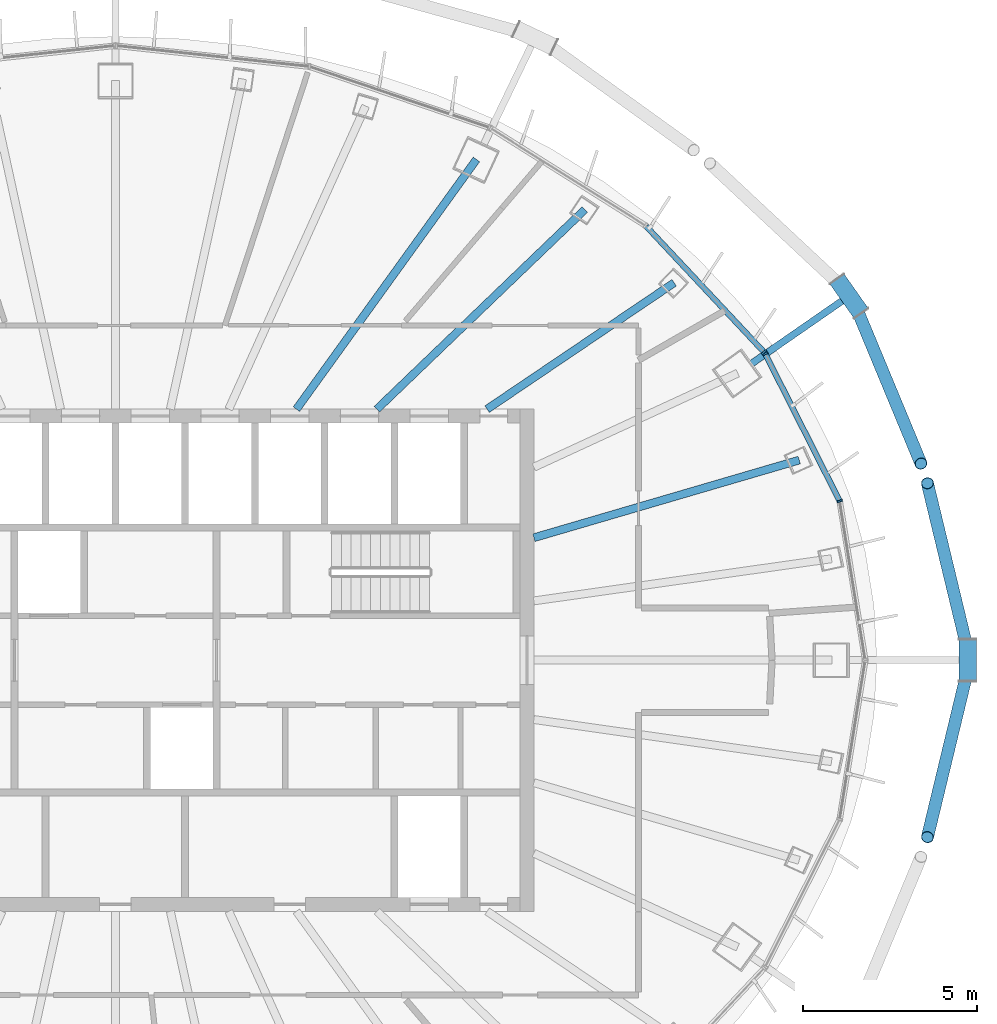
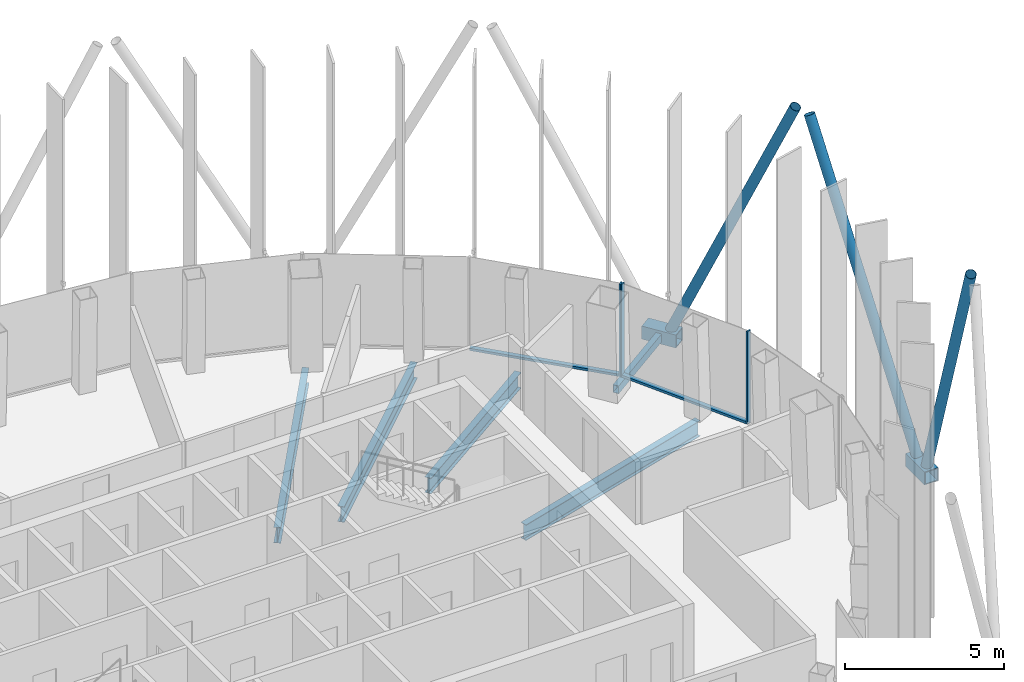
# One storey, part 6 of 20: 11 members, 4 beams, 2 elements without a shape of their own.
"""IFC4 building model written with IfcOpenShell, lengths in metres."""

import ifcopenshell
import ifcopenshell.guid

model = None  # the IFC model being written
_history = None  # IfcOwnerHistory: only IFC2X3 demands one
_inside = {}  # id of a spatial element -> (the spatial element, [elements in it])
_under = {}  # id of a project, library or spatial element -> (it, [spatial elements below it])
_declared = {}  # id of a project -> (the project, [libraries it declares])
_typed = {}  # id of a type object -> (the type object, [elements of that type])
_made_of = {}  # id of a material, layer set ... -> (it, [elements and type objects made of it])


def new_model(schema):
    """Start an empty IFC model of exactly this schema.

    Asked for "IFC4X3", IfcOpenShell would pick the latest addendum, in which some entities
    have other attributes; the version numbers below select the first issue.
    IFC2X3 requires an IfcOwnerHistory on every rooted entity: one is made here for all.
    """
    global model, _history
    if schema == "IFC4X3":
        model = ifcopenshell.file(schema_version=(4, 3, 0, 0))
    else:
        model = ifcopenshell.file(schema=schema)
    _inside.clear()
    _under.clear()
    _declared.clear()
    _typed.clear()
    _made_of.clear()
    _history = None
    if model.schema == "IFC2X3":
        org = make("IfcOrganization", Name="unknown")
        user = make(
            "IfcPersonAndOrganization",
            ThePerson=make("IfcPerson", FamilyName="unknown"),
            TheOrganization=org,
        )
        app = make(
            "IfcApplication",
            ApplicationDeveloper=org,
            Version="unknown",
            ApplicationFullName="unknown",
            ApplicationIdentifier="unknown",
        )
        _history = make(
            "IfcOwnerHistory",
            OwningUser=user,
            OwningApplication=app,
            ChangeAction="ADDED",
            CreationDate=0,
        )
    return model


def make(cls, **values):
    """One entity of the class cls with the attributes given. An attribute that is None is left unset."""
    return model.create_entity(
        cls, **{name: value for name, value in values.items() if value is not None}
    )


def rooted(cls, **values):
    """An entity with a GlobalId (a new one), such as an element, a storey or a relation."""
    return make(cls, GlobalId=ifcopenshell.guid.new(), OwnerHistory=_history, **values)


def si_unit(unit_type, name, prefix=None):
    """IfcSIUnit, for example si_unit("LENGTHUNIT", "METRE", prefix="MILLI")."""
    return make("IfcSIUnit", UnitType=unit_type, Prefix=prefix, Name=name)


def assignment(units):
    """IfcUnitAssignment: the units of a project."""
    return None if units is None else make("IfcUnitAssignment", Units=units)


def point(xyz):
    """IfcCartesianPoint."""
    return None if xyz is None else make("IfcCartesianPoint", Coordinates=xyz)


def direction(xyz):
    """IfcDirection."""
    return None if xyz is None else make("IfcDirection", DirectionRatios=xyz)


def frame(location, z_axis=None, x_axis=None):
    """IfcAxis2Placement3D, a coordinate frame: its origin and axes. An axis left out is left unset."""
    return make(
        "IfcAxis2Placement3D",
        Location=point(location),
        Axis=direction(z_axis),
        RefDirection=direction(x_axis),
    )


def frame_2d(location, x_axis=None):
    """IfcAxis2Placement2D, a coordinate frame in the plane: its origin and x axis."""
    return make(
        "IfcAxis2Placement2D", Location=point(location), RefDirection=direction(x_axis)
    )


def origin():
    """The frame at (0, 0, 0) with its axes left unset."""
    return frame((0.0, 0.0, 0.0))


def origin_2d():
    """The frame at (0, 0) in the plane with its x axis left unset."""
    return frame_2d((0.0, 0.0))


def place(relative_to, where):
    """IfcLocalPlacement: puts the frame where relative to a parent placement (None: the world)."""
    return make(
        "IfcLocalPlacement", PlacementRelTo=relative_to, RelativePlacement=where
    )


def context(
    kind, dimensions, precision=None, world=None, true_north=None, identifier=None
):
    """IfcGeometricRepresentationContext, for example the 3D "Model" context."""
    return make(
        "IfcGeometricRepresentationContext",
        ContextIdentifier=identifier,
        ContextType=kind,
        CoordinateSpaceDimension=dimensions,
        Precision=precision,
        WorldCoordinateSystem=world,
        TrueNorth=true_north,
    )


def subcontext(parent, identifier, kind, view, scale=None):
    """IfcGeometricRepresentationSubContext, for example "Body" below "Model"."""
    return make(
        "IfcGeometricRepresentationSubContext",
        ContextIdentifier=identifier,
        ContextType=kind,
        ParentContext=parent,
        TargetScale=scale,
        TargetView=view,
    )


def project(units=None, contexts=None):
    """IfcProject with its units and contexts."""
    return rooted(
        "IfcProject",
        Name="project",
        RepresentationContexts=contexts,
        UnitsInContext=assignment(units),
    )


def spatial(cls, under=None, at=None, **own):
    """A site, building, storey or space (cls), placed at a placement, below another one or the project."""
    s = rooted(cls, ObjectPlacement=at, **own)
    if under is not None:
        _under.setdefault(under.id(), (under, []))[1].append(s)
    return s


def profile(cls, at=None, kind="AREA", **sizes):
    """A parametric profile (cls). Its sizes go by their IFC names, for example OverallWidth=200.0."""
    return make(cls, ProfileType=kind, Position=at, **sizes)


def rectangle(**sizes):
    """IfcRectangleProfileDef."""
    return profile("IfcRectangleProfileDef", **sizes)


def hollow_rectangle(**sizes):
    """IfcRectangleHollowProfileDef."""
    return profile("IfcRectangleHollowProfileDef", **sizes)


def hollow_circle(**sizes):
    """IfcCircleHollowProfileDef."""
    return profile("IfcCircleHollowProfileDef", **sizes)


def i_section(**sizes):
    """IfcIShapeProfileDef."""
    return profile("IfcIShapeProfileDef", **sizes)


def extrude(swept, where, along, depth):
    """IfcExtrudedAreaSolid: the profile swept, set in the frame where, extruded along a direction by depth."""
    return make(
        "IfcExtrudedAreaSolid",
        SweptArea=swept,
        Position=where,
        ExtrudedDirection=direction(along),
        Depth=depth,
    )


def shape(context_of_items, identifier, shape_type, items):
    """IfcShapeRepresentation: the items that make up one representation, for example the "Body"."""
    return make(
        "IfcShapeRepresentation",
        ContextOfItems=context_of_items,
        RepresentationIdentifier=identifier,
        RepresentationType=shape_type,
        Items=items,
    )


def material(Name=None, Category=None):
    """IfcMaterial."""
    return make("IfcMaterial", Name=Name, Category=Category)


def layer(
    of_material, thickness, ventilated=None, Name=None, Category=None, Priority=None
):
    """IfcMaterialLayer: one layer of a wall or slab, of a material (None: an air gap)."""
    return make(
        "IfcMaterialLayer",
        Material=of_material,
        LayerThickness=thickness,
        IsVentilated=ventilated,
        Name=Name,
        Category=Category,
        Priority=Priority,
    )


def layer_set(layers, Name=None):
    """IfcMaterialLayerSet."""
    return make("IfcMaterialLayerSet", MaterialLayers=layers, LayerSetName=Name)


def material_profile(
    of_material, cross_section, Name=None, Category=None, Priority=None
):
    """IfcMaterialProfile: a cross section and its material."""
    return make(
        "IfcMaterialProfile",
        Name=Name,
        Material=of_material,
        Profile=cross_section,
        Priority=Priority,
        Category=Category,
    )


def profile_set(profiles, Name=None, composite=None):
    """IfcMaterialProfileSet."""
    return make(
        "IfcMaterialProfileSet",
        Name=Name,
        MaterialProfiles=profiles,
        CompositeProfile=composite,
    )


def made_of(thing, what):
    """Note that an element or type object is made of a material, layer set ...; save() writes the relation."""
    if what is not None:
        _made_of.setdefault(what.id(), (what, []))[1].append(thing)
    return thing


def type_object(cls, material=None, **own):
    """A type object (cls), such as IfcWallType, which elements share."""
    return made_of(rooted(cls, **own), material)


def element(
    cls,
    number,
    at=None,
    inside=None,
    cuts=None,
    type_object=None,
    material=None,
    context=None,
    identifier="Body",
    shape_type=None,
    held_by="IfcProductDefinitionShape",
    body=None,
    shapes=None,
    **own,
):
    """One element of the class cls, such as IfcWall. Its Tag is "e" and its number.

    at: its placement. inside: the storey or other place that contains it. cuts: it is an
    opening in that element (IfcRelVoidsElement). A single representation is given by context,
    identifier, shape_type and body (its items); several are given by shapes. held_by: the class
    of the entity that holds the representations. save() writes the other relations.
    """
    e = rooted(cls, Tag="e%d" % number, ObjectPlacement=at, **own)
    if body is not None:
        shapes = [shape(context, identifier, shape_type, body)]
    if shapes is not None:
        e.Representation = make(held_by, Representations=shapes)
    if inside is not None:
        _inside.setdefault(inside.id(), (inside, []))[1].append(e)
    if cuts is not None:
        rooted(
            "IfcRelVoidsElement", RelatingBuildingElement=cuts, RelatedOpeningElement=e
        )
    if type_object is not None:
        _typed.setdefault(type_object.id(), (type_object, []))[1].append(e)
    return made_of(e, material)


def aggregate(whole, parts):
    """IfcRelAggregates: a whole, such as a stair, and the parts it consists of."""
    return rooted("IfcRelAggregates", RelatingObject=whole, RelatedObjects=parts)


def save(model, path):
    """Write the relations noted so far, then the file.

    IfcRelAggregates (storeys below a building ...), IfcRelContainedInSpatialStructure (elements
    in a storey), IfcRelDefinesByType, IfcRelAssociatesMaterial and IfcRelDeclares: one each for
    every whole, place, type object, material and project.
    """
    for whole, parts in _under.values():
        aggregate(whole, parts)
    for where, things in _inside.values():
        rooted(
            "IfcRelContainedInSpatialStructure",
            RelatedElements=things,
            RelatingStructure=where,
        )
    for kind, things in _typed.values():
        rooted("IfcRelDefinesByType", RelatedObjects=things, RelatingType=kind)
    for what, things in _made_of.values():
        rooted("IfcRelAssociatesMaterial", RelatedObjects=things, RelatingMaterial=what)
    for by, libraries in _declared.values():
        rooted("IfcRelDeclares", RelatingContext=by, RelatedDefinitions=libraries)
    model.write(path)


model = new_model("IFC4")

# Units and contexts
model_context = context("Model", 3, precision=1e-05, world=origin(), true_north=direction((0.0, 1.0)))
body_context = subcontext(model_context, "Body", "Model", "MODEL_VIEW")
ifc_project = project(units=[si_unit("LENGTHUNIT", "METRE"), si_unit("AREAUNIT", "SQUARE_METRE"), si_unit("VOLUMEUNIT", "CUBIC_METRE"), si_unit("PLANEANGLEUNIT", "RADIAN"), si_unit("MASSUNIT", "GRAM", prefix="KILO")], contexts=[model_context])

# Site, building, storey
site_placement = place(None, origin())
site = spatial("IfcSite", under=ifc_project, at=site_placement, CompositionType="ELEMENT")
building_placement = place(site_placement, origin())
building = spatial("IfcBuilding", under=site, at=building_placement, Name="Siaravel Broadcast Tower", CompositionType="ELEMENT")
storey_placement = place(building_placement, frame((0.0, 0.0, 228.199951171875)))
storey = spatial("IfcBuildingStorey", under=building, at=storey_placement, Name="L55", CompositionType="ELEMENT", Elevation=228.199951171875)

# Beams
ifc_material_1 = material(Name="Steel S355", Category="steel")
ifc_material_profile_1 = material_profile(ifc_material_1, i_section(OverallWidth=0.2275390625, OverallDepth=0.6025390625, WebThickness=0.010498046875, FlangeThickness=0.014892578125, FilletRadius=0.0126953125, at=origin_2d()))
ifc_profile_set_1 = profile_set([ifc_material_profile_1], Name="Steel S355")
beam_type = type_object("IfcBeamType", Name="BM-UB 610x229x101", PredefinedType="BEAM", material=ifc_profile_set_1)
beam_1_placement = place(storey_placement, frame((19.607666015625, 5.73876953125, -0.451171875), z_axis=(-0.959739837, -0.28089045, 0.0), x_axis=(0.28089045, -0.959739837, 0.0)))
element("IfcBeam", 1, at=beam_1_placement, inside=storey, type_object=beam_type, Name="Radial beam RB03", PredefinedType="BEAM", context=body_context, shape_type="SweptSolid", body=[
    extrude(i_section(OverallWidth=0.2275390625, OverallDepth=0.6025390625, WebThickness=0.010498046875, FlangeThickness=0.014892578125, FilletRadius=0.0126953125, at=origin_2d()), origin(), (0.0, 0.0, 1.0), 7.9267578125),
])
beam_2_placement = place(storey_placement, frame((16.021484375, 10.823486328125, -0.451171875), z_axis=(-0.828634362, -0.559790223, 0.0), x_axis=(0.559790223, -0.828634362, 0.0)))
element("IfcBeam", 2, at=beam_2_placement, inside=storey, type_object=beam_type, Name="Radial beam RB05", PredefinedType="BEAM", context=body_context, shape_type="SweptSolid", body=[
    extrude(i_section(OverallWidth=0.2275390625, OverallDepth=0.6025390625, WebThickness=0.010498046875, FlangeThickness=0.014892578125, FilletRadius=0.0126953125, at=origin_2d()), origin(), (0.0, 0.0, 1.0), 6.47314453125),
])
beam_3_placement = place(storey_placement, frame((13.45947265625, 12.921875, -0.451171875), z_axis=(-0.721365472, -0.692554587, 0.0), x_axis=(0.692554587, -0.721365472, 0.0)))
element("IfcBeam", 3, at=beam_3_placement, inside=storey, type_object=beam_type, Name="Radial beam RB06", PredefinedType="BEAM", context=body_context, shape_type="SweptSolid", body=[
    extrude(i_section(OverallWidth=0.2275390625, OverallDepth=0.6025390625, WebThickness=0.010498046875, FlangeThickness=0.014892578125, FilletRadius=0.0126953125, at=origin_2d()), origin(), (0.0, 0.0, 1.0), 8.261962890625),
])
beam_4_placement = place(storey_placement, frame((10.351806640625, 14.359375, -0.451171875), z_axis=(-0.584778294, -0.811193163, 0.0), x_axis=(0.811193163, -0.584778294, 0.0)))
element("IfcBeam", 4, at=beam_4_placement, inside=storey, type_object=beam_type, Name="Radial beam RB07", PredefinedType="BEAM", context=body_context, shape_type="SweptSolid", body=[
    extrude(i_section(OverallWidth=0.2275390625, OverallDepth=0.6025390625, WebThickness=0.010498046875, FlangeThickness=0.014892578125, FilletRadius=0.0126953125, at=origin_2d()), origin(), (0.0, 0.0, 1.0), 8.82568359375),
])

# Curtain wall, members
ifc_material_2 = material(Name="Aluminium 6063-T6", Category="aluminium")
ifc_layer = layer(ifc_material_2, 0.159912109375)
ifc_layer_set = layer_set([ifc_layer], Name="Aluminium 6063-T6")
curtain_wall_type = type_object("IfcCurtainWallType", Name="Unitised curtain wall, zone 4", PredefinedType="NOTDEFINED", material=ifc_layer_set)
curtain_wall_1_placement = place(storey_placement, origin())
curtain_wall_1 = element("IfcCurtainWall", 5, at=curtain_wall_1_placement, inside=storey, type_object=curtain_wall_type, Name="L55 Unitised curtain wall, zone 4 01", PredefinedType="NOTDEFINED")
ifc_material_profile_2 = material_profile(ifc_material_2, rectangle(XDim=0.159912109375, YDim=0.054931640625, at=origin_2d()))
ifc_profile_set_2 = profile_set([ifc_material_profile_2], Name="Aluminium 6063-T6")
member_type_1 = type_object("IfcMemberType", Name="CW-Z4 mullion", PredefinedType="MULLION", material=ifc_profile_set_2)
member_1_placement = place(storey_placement, frame((20.7685546875, 4.5634765625, 0.0), z_axis=(0.0, 0.0, 1.0), x_axis=(-0.951177556, -0.308644223, 0.0)))
member_1 = element("IfcMember", 6, at=member_1_placement, type_object=member_type_1, Name="CW-Z4 mullion 2", PredefinedType="MULLION", context=body_context, shape_type="SweptSolid", body=[
    extrude(rectangle(XDim=0.159912109375, YDim=0.054931640625, at=origin_2d()), origin(), (0.0, 0.0, 1.0), 3.550048828125),
])
member_2_placement = place(storey_placement, frame((18.63134765625, 8.7900390625, 0.0), z_axis=(0.0, 0.0, 1.0), x_axis=(-0.89239278, -0.451259489, 0.0)))
member_2 = element("IfcMember", 7, at=member_2_placement, type_object=member_type_1, Name="CW-Z4 mullion 3", PredefinedType="MULLION", context=body_context, shape_type="SweptSolid", body=[
    extrude(rectangle(XDim=0.159912109375, YDim=0.054931640625, at=origin_2d()), origin(), (0.0, 0.0, 1.0), 3.550048828125),
])

# Curtain wall, member
curtain_wall_2_placement = place(storey_placement, origin())
curtain_wall_2 = element("IfcCurtainWall", 8, at=curtain_wall_2_placement, inside=storey, type_object=curtain_wall_type, Name="L55 Unitised curtain wall, zone 4 02", PredefinedType="NOTDEFINED")
member_3_placement = place(storey_placement, frame((18.60009765625, 8.834716796875, 0.0), z_axis=(0.0, 0.0, 1.0), x_axis=(-0.72980635, -0.683653927, 0.0)))
member_3 = element("IfcMember", 9, at=member_3_placement, type_object=member_type_1, Name="CW-Z4 mullion 1", PredefinedType="MULLION", context=body_context, shape_type="SweptSolid", body=[
    extrude(rectangle(XDim=0.159912109375, YDim=0.054931640625, at=origin_2d()), origin(), (0.0, 0.0, 1.0), 3.550048828125),
])

# Member
ifc_material_profile_3 = material_profile(ifc_material_2, rectangle(XDim=0.159912109375, YDim=0.090087890625, at=origin_2d()))
ifc_profile_set_3 = profile_set([ifc_material_profile_3], Name="Aluminium 6063-T6")
member_type_2 = type_object("IfcMemberType", Name="CW-Z4 transom", PredefinedType="USERDEFINED", material=ifc_profile_set_3)
member_4_placement = place(storey_placement, frame((20.756103515625, 4.587890625, 0.045166015625), z_axis=(-0.451235344, 0.892404989, 0.0), x_axis=(-0.892404989, -0.451235344, 0.0)))
member_4 = element("IfcMember", 10, at=member_4_placement, type_object=member_type_2, Name="CW-Z4 transom 2", ObjectType="TRANSOM", PredefinedType="USERDEFINED", context=body_context, shape_type="SweptSolid", body=[
    extrude(rectangle(XDim=0.159912109375, YDim=0.090087890625, at=origin_2d()), origin(), (0.0, 0.0, 1.0), 4.68115234375),
])

aggregate(curtain_wall_1, [member_1, member_2, member_4])

member_5_placement = place(storey_placement, frame((18.581298828125, 8.854736328125, 0.045166015625), z_axis=(-0.68367025, 0.729791059, 0.0), x_axis=(-0.729791059, -0.68367025, 0.0)))
member_5 = element("IfcMember", 11, at=member_5_placement, type_object=member_type_2, Name="CW-Z4 transom 1", ObjectType="TRANSOM", PredefinedType="USERDEFINED", context=body_context, shape_type="SweptSolid", body=[
    extrude(rectangle(XDim=0.159912109375, YDim=0.090087890625, at=origin_2d()), origin(), (0.0, 0.0, 1.0), 4.917724609375),
])

aggregate(curtain_wall_2, [member_3, member_5])

# Members
ifc_material_3 = material(Name="Steel S460", Category="steel")
ifc_material_profile_4 = material_profile(ifc_material_3, hollow_circle(Radius=0.177734375, WallThickness=0.012451171875, at=origin_2d()))
ifc_profile_set_4 = profile_set([ifc_material_profile_4], Name="Steel S460")
member_type_3 = type_object("IfcMemberType", Name="Diagrid diagonal CHS 355.6x12.5", PredefinedType="BRACE", material=ifc_profile_set_4)
for number, where, z_axis, x_axis, name in (
    (12, (24.436279296875, -0.295654296875, 0.02001953125), (-0.09814257, -0.407149206, 0.908073543), (0.972155588, -0.234336324, 0.0), "Diagrid diagonal R23 station 00C"),
    (13, (24.436279296875, 0.295654296875, 0.02001953125), (-0.09814257, 0.407149206, 0.908073543), (-0.972155588, -0.234336324, 0.0), "Diagrid diagonal R23 station 00A"),
):
    element("IfcMember", number, at=place(storey_placement, frame(where, z_axis=z_axis, x_axis=x_axis)), inside=storey, type_object=member_type_3, Name=name, PredefinedType="BRACE", context=body_context, shape_type="SweptSolid", body=[
        extrude(hollow_circle(Radius=0.177734375, WallThickness=0.012451171875, at=origin_2d()), origin(), (0.0, 0.0, 1.0), 11.739013671875),
    ])
member_6_placement = place(storey_placement, frame((21.206298828125, 10.199462890625, 0.02001953125), z_axis=(0.161211025, -0.388315343, 0.907315932), x_axis=(0.923571851, 0.383425398, 0.0)))
element("IfcMember", 14, at=member_6_placement, inside=storey, type_object=member_type_3, Name="Diagrid diagonal R23 station 06C", PredefinedType="BRACE", context=body_context, shape_type="SweptSolid", body=[
    extrude(hollow_circle(Radius=0.177734375, WallThickness=0.012451171875, at=origin_2d()), origin(), (0.0, 0.0, 1.0), 11.748779296875),
])
ifc_material_profile_5 = material_profile(ifc_material_3, hollow_rectangle(XDim=0.5, YDim=0.5, WallThickness=0.031982421875, at=origin_2d()))
ifc_profile_set_5 = profile_set([ifc_material_profile_5], Name="Steel S460")
member_type_4 = type_object("IfcMemberType", Name="Diagrid node BOX 500x500x32", PredefinedType="USERDEFINED", material=ifc_profile_set_5)
member_7_placement = place(storey_placement, frame((24.436279296875, -0.593505859375, -0.199951171875), z_axis=(0.0, 1.0, 0.0), x_axis=(-1.0, 0.0, 0.0)))
element("IfcMember", 15, at=member_7_placement, inside=storey, type_object=member_type_4, Name="Diagrid node R23 station 00", ObjectType="DIAGRID NODE", PredefinedType="USERDEFINED", context=body_context, shape_type="SweptSolid", body=[
    extrude(hollow_rectangle(XDim=0.5, YDim=0.5, WallThickness=0.031982421875, at=origin_2d()), origin(), (0.0, 0.0, 1.0), 1.18701171875),
])
member_8_placement = place(storey_placement, frame((21.377685546875, 9.9560546875, -0.199951171875), z_axis=(-0.576069144, 0.817400967, 0.0), x_axis=(-0.817400967, -0.576069144, 0.0)))
element("IfcMember", 16, at=member_8_placement, inside=storey, type_object=member_type_4, Name="Diagrid node R23 station 06", ObjectType="DIAGRID NODE", PredefinedType="USERDEFINED", context=body_context, shape_type="SweptSolid", body=[
    extrude(hollow_rectangle(XDim=0.5, YDim=0.5, WallThickness=0.031982421875, at=origin_2d()), origin(), (0.0, 0.0, 1.0), 1.186767578125),
])
ifc_material_profile_6 = material_profile(ifc_material_3, hollow_rectangle(XDim=0.199951171875, YDim=0.300048828125, WallThickness=0.012451171875, at=origin_2d()))
ifc_profile_set_6 = profile_set([ifc_material_profile_6], Name="Steel S460")
member_type_5 = type_object("IfcMemberType", Name="Diagrid node arm RHS 300x200x12.5", PredefinedType="STRUT", material=ifc_profile_set_6)
member_9_placement = place(storey_placement, frame((18.2314453125, 8.498291015625, -0.199951171875), z_axis=(0.821996626, 0.569492358, 0.0), x_axis=(-0.569492358, 0.821996626, 0.0)))
element("IfcMember", 17, at=member_9_placement, inside=storey, type_object=member_type_5, Name="Node arm R23 station 06", PredefinedType="STRUT", context=body_context, shape_type="SweptSolid", body=[
    extrude(hollow_rectangle(XDim=0.199951171875, YDim=0.300048828125, WallThickness=0.012451171875, at=origin_2d()), origin(), (0.0, 0.0, 1.0), 3.191650390625),
])

save(model, "model.ifc")
